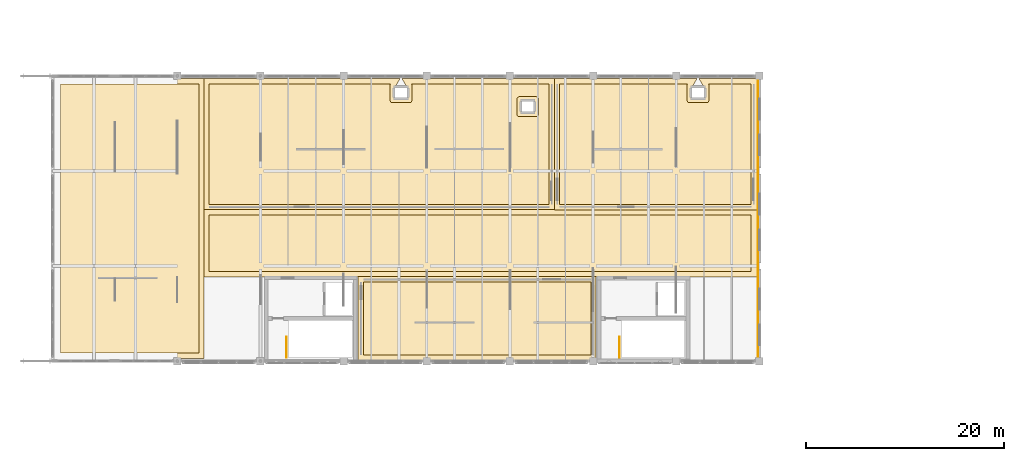
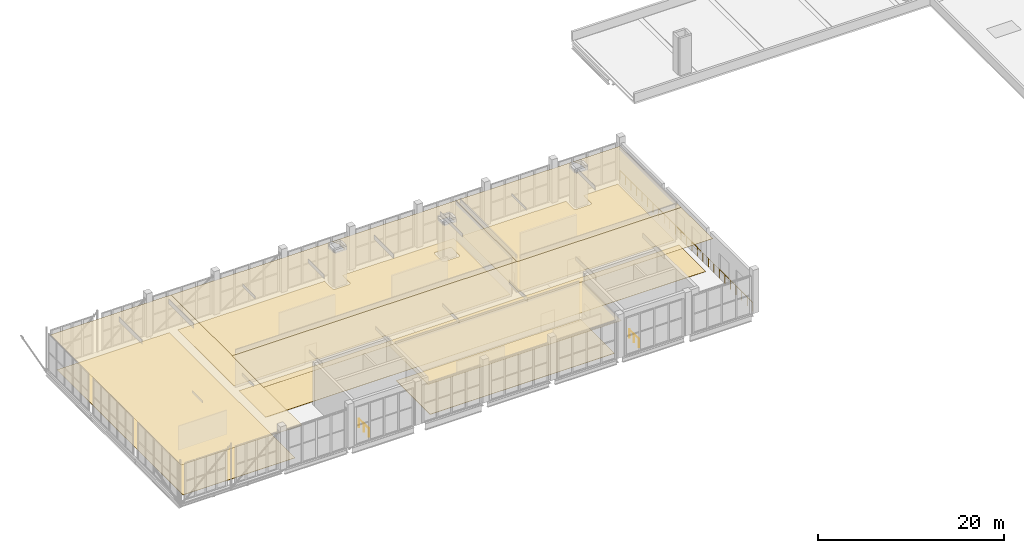
# One storey, part 46 of 49: 10 coverings, 3 railings.
"""IFC4 building model written with IfcOpenShell, lengths in metres."""

import ifcopenshell
import ifcopenshell.guid

model = None  # the IFC model being written
_history = None  # IfcOwnerHistory: only IFC2X3 demands one
_inside = {}  # id of a spatial element -> (the spatial element, [elements in it])
_under = {}  # id of a project, library or spatial element -> (it, [spatial elements below it])
_declared = {}  # id of a project -> (the project, [libraries it declares])
_typed = {}  # id of a type object -> (the type object, [elements of that type])
_made_of = {}  # id of a material, layer set ... -> (it, [elements and type objects made of it])


def new_model(schema):
    """Start an empty IFC model of exactly this schema.

    Asked for "IFC4X3", IfcOpenShell would pick the latest addendum, in which some entities
    have other attributes; the version numbers below select the first issue.
    IFC2X3 requires an IfcOwnerHistory on every rooted entity: one is made here for all.
    """
    global model, _history
    if schema == "IFC4X3":
        model = ifcopenshell.file(schema_version=(4, 3, 0, 0))
    else:
        model = ifcopenshell.file(schema=schema)
    _inside.clear()
    _under.clear()
    _declared.clear()
    _typed.clear()
    _made_of.clear()
    _history = None
    if model.schema == "IFC2X3":
        org = make("IfcOrganization", Name="unknown")
        user = make(
            "IfcPersonAndOrganization",
            ThePerson=make("IfcPerson", FamilyName="unknown"),
            TheOrganization=org,
        )
        app = make(
            "IfcApplication",
            ApplicationDeveloper=org,
            Version="unknown",
            ApplicationFullName="unknown",
            ApplicationIdentifier="unknown",
        )
        _history = make(
            "IfcOwnerHistory",
            OwningUser=user,
            OwningApplication=app,
            ChangeAction="ADDED",
            CreationDate=0,
        )
    return model


def make(cls, **values):
    """One entity of the class cls with the attributes given. An attribute that is None is left unset."""
    return model.create_entity(
        cls, **{name: value for name, value in values.items() if value is not None}
    )


def rooted(cls, **values):
    """An entity with a GlobalId (a new one), such as an element, a storey or a relation."""
    return make(cls, GlobalId=ifcopenshell.guid.new(), OwnerHistory=_history, **values)


def si_unit(unit_type, name, prefix=None):
    """IfcSIUnit, for example si_unit("LENGTHUNIT", "METRE", prefix="MILLI")."""
    return make("IfcSIUnit", UnitType=unit_type, Prefix=prefix, Name=name)


def assignment(units):
    """IfcUnitAssignment: the units of a project."""
    return None if units is None else make("IfcUnitAssignment", Units=units)


def point(xyz):
    """IfcCartesianPoint."""
    return None if xyz is None else make("IfcCartesianPoint", Coordinates=xyz)


def direction(xyz):
    """IfcDirection."""
    return None if xyz is None else make("IfcDirection", DirectionRatios=xyz)


def frame(location, z_axis=None, x_axis=None):
    """IfcAxis2Placement3D, a coordinate frame: its origin and axes. An axis left out is left unset."""
    return make(
        "IfcAxis2Placement3D",
        Location=point(location),
        Axis=direction(z_axis),
        RefDirection=direction(x_axis),
    )


def frame_2d(location, x_axis=None):
    """IfcAxis2Placement2D, a coordinate frame in the plane: its origin and x axis."""
    return make(
        "IfcAxis2Placement2D", Location=point(location), RefDirection=direction(x_axis)
    )


def origin():
    """The frame at (0, 0, 0) with its axes left unset."""
    return frame((0.0, 0.0, 0.0))


def origin_2d():
    """The frame at (0, 0) in the plane with its x axis left unset."""
    return frame_2d((0.0, 0.0))


def place(relative_to, where):
    """IfcLocalPlacement: puts the frame where relative to a parent placement (None: the world)."""
    return make(
        "IfcLocalPlacement", PlacementRelTo=relative_to, RelativePlacement=where
    )


def context(
    kind, dimensions, precision=None, world=None, true_north=None, identifier=None
):
    """IfcGeometricRepresentationContext, for example the 3D "Model" context."""
    return make(
        "IfcGeometricRepresentationContext",
        ContextIdentifier=identifier,
        ContextType=kind,
        CoordinateSpaceDimension=dimensions,
        Precision=precision,
        WorldCoordinateSystem=world,
        TrueNorth=true_north,
    )


def subcontext(parent, identifier, kind, view, scale=None):
    """IfcGeometricRepresentationSubContext, for example "Body" below "Model"."""
    return make(
        "IfcGeometricRepresentationSubContext",
        ContextIdentifier=identifier,
        ContextType=kind,
        ParentContext=parent,
        TargetScale=scale,
        TargetView=view,
    )


def project(units=None, contexts=None):
    """IfcProject with its units and contexts."""
    return rooted(
        "IfcProject",
        Name="project",
        RepresentationContexts=contexts,
        UnitsInContext=assignment(units),
    )


def spatial(cls, under=None, at=None, **own):
    """A site, building, storey or space (cls), placed at a placement, below another one or the project."""
    s = rooted(cls, ObjectPlacement=at, **own)
    if under is not None:
        _under.setdefault(under.id(), (under, []))[1].append(s)
    return s


def polyline(points):
    """IfcPolyline through the points."""
    return make("IfcPolyline", Points=[point(p) for p in points])


def profile(cls, at=None, kind="AREA", **sizes):
    """A parametric profile (cls). Its sizes go by their IFC names, for example OverallWidth=200.0."""
    return make(cls, ProfileType=kind, Position=at, **sizes)


def circle(**sizes):
    """IfcCircleProfileDef."""
    return profile("IfcCircleProfileDef", **sizes)


def outline(outer, holes=None, kind="AREA"):
    """IfcArbitraryClosedProfileDef: a profile drawn as a closed curve; with holes, ...WithVoids."""
    if holes is None:
        return make("IfcArbitraryClosedProfileDef", ProfileType=kind, OuterCurve=outer)
    return make(
        "IfcArbitraryProfileDefWithVoids",
        ProfileType=kind,
        OuterCurve=outer,
        InnerCurves=holes,
    )


def extrude(swept, where, along, depth):
    """IfcExtrudedAreaSolid: the profile swept, set in the frame where, extruded along a direction by depth."""
    return make(
        "IfcExtrudedAreaSolid",
        SweptArea=swept,
        Position=where,
        ExtrudedDirection=direction(along),
        Depth=depth,
    )


def shape(context_of_items, identifier, shape_type, items):
    """IfcShapeRepresentation: the items that make up one representation, for example the "Body"."""
    return make(
        "IfcShapeRepresentation",
        ContextOfItems=context_of_items,
        RepresentationIdentifier=identifier,
        RepresentationType=shape_type,
        Items=items,
    )


def material(Name=None, Category=None):
    """IfcMaterial."""
    return make("IfcMaterial", Name=Name, Category=Category)


def layer(
    of_material, thickness, ventilated=None, Name=None, Category=None, Priority=None
):
    """IfcMaterialLayer: one layer of a wall or slab, of a material (None: an air gap)."""
    return make(
        "IfcMaterialLayer",
        Material=of_material,
        LayerThickness=thickness,
        IsVentilated=ventilated,
        Name=Name,
        Category=Category,
        Priority=Priority,
    )


def layer_set(layers, Name=None):
    """IfcMaterialLayerSet."""
    return make("IfcMaterialLayerSet", MaterialLayers=layers, LayerSetName=Name)


def made_of(thing, what):
    """Note that an element or type object is made of a material, layer set ...; save() writes the relation."""
    if what is not None:
        _made_of.setdefault(what.id(), (what, []))[1].append(thing)
    return thing


def type_object(cls, material=None, **own):
    """A type object (cls), such as IfcWallType, which elements share."""
    return made_of(rooted(cls, **own), material)


def element(
    cls,
    number,
    at=None,
    inside=None,
    cuts=None,
    type_object=None,
    material=None,
    context=None,
    identifier="Body",
    shape_type=None,
    held_by="IfcProductDefinitionShape",
    body=None,
    shapes=None,
    **own,
):
    """One element of the class cls, such as IfcWall. Its Tag is "e" and its number.

    at: its placement. inside: the storey or other place that contains it. cuts: it is an
    opening in that element (IfcRelVoidsElement). A single representation is given by context,
    identifier, shape_type and body (its items); several are given by shapes. held_by: the class
    of the entity that holds the representations. save() writes the other relations.
    """
    e = rooted(cls, Tag="e%d" % number, ObjectPlacement=at, **own)
    if body is not None:
        shapes = [shape(context, identifier, shape_type, body)]
    if shapes is not None:
        e.Representation = make(held_by, Representations=shapes)
    if inside is not None:
        _inside.setdefault(inside.id(), (inside, []))[1].append(e)
    if cuts is not None:
        rooted(
            "IfcRelVoidsElement", RelatingBuildingElement=cuts, RelatedOpeningElement=e
        )
    if type_object is not None:
        _typed.setdefault(type_object.id(), (type_object, []))[1].append(e)
    return made_of(e, material)


def aggregate(whole, parts):
    """IfcRelAggregates: a whole, such as a stair, and the parts it consists of."""
    return rooted("IfcRelAggregates", RelatingObject=whole, RelatedObjects=parts)


def save(model, path):
    """Write the relations noted so far, then the file.

    IfcRelAggregates (storeys below a building ...), IfcRelContainedInSpatialStructure (elements
    in a storey), IfcRelDefinesByType, IfcRelAssociatesMaterial and IfcRelDeclares: one each for
    every whole, place, type object, material and project.
    """
    for whole, parts in _under.values():
        aggregate(whole, parts)
    for where, things in _inside.values():
        rooted(
            "IfcRelContainedInSpatialStructure",
            RelatedElements=things,
            RelatingStructure=where,
        )
    for kind, things in _typed.values():
        rooted("IfcRelDefinesByType", RelatedObjects=things, RelatingType=kind)
    for what, things in _made_of.values():
        rooted("IfcRelAssociatesMaterial", RelatedObjects=things, RelatingMaterial=what)
    for by, libraries in _declared.values():
        rooted("IfcRelDeclares", RelatingContext=by, RelatedDefinitions=libraries)
    model.write(path)


model = new_model("IFC4")

# Units and contexts
model_context = context("Model", 3, precision=1e-05, world=origin(), true_north=direction((0.0, 1.0)))
body_context = subcontext(model_context, "Body", "Model", "MODEL_VIEW")
ifc_project = project(units=[si_unit("LENGTHUNIT", "METRE"), si_unit("AREAUNIT", "SQUARE_METRE"), si_unit("VOLUMEUNIT", "CUBIC_METRE"), si_unit("PLANEANGLEUNIT", "RADIAN"), si_unit("MASSUNIT", "GRAM", prefix="KILO")], contexts=[model_context])

# Site, building, storey
site_placement = place(None, origin())
site = spatial("IfcSite", under=ifc_project, at=site_placement, CompositionType="ELEMENT")
building_placement = place(site_placement, origin())
building = spatial("IfcBuilding", under=site, at=building_placement, Name="Zulmaris Art Gallery", CompositionType="ELEMENT")
storey_placement = place(building_placement, frame((0.0, 0.0, 20.699951171875)))
storey = spatial("IfcBuildingStorey", under=building, at=storey_placement, Name="L04", CompositionType="ELEMENT", Elevation=20.699951171875)

# Coverings
ifc_material_1 = material(Name="Micro-Perforated Gypsum Acoustic Ceiling", Category="gypsum")
ifc_layer_1 = layer(ifc_material_1, 0.02490234375)
ifc_layer_set_1 = layer_set([ifc_layer_1], Name="Micro-Perforated Gypsum Acoustic Ceiling")
covering_type_1 = type_object("IfcCoveringType", Name="COV-CL01", PredefinedType="CEILING", material=ifc_layer_set_1)
covering_1_placement = place(storey_placement, frame((0.0, 0.0, 4.449951171875)))
element("IfcCovering", 1, at=covering_1_placement, inside=storey, type_object=covering_type_1, Name="Top-Lit Gallery Central Concourse acoustic ceiling", PredefinedType="CEILING", context=body_context, shape_type="SweptSolid", body=[
    extrude(outline(polyline([(26.679931640625, 36.919921875), (82.52001953125, 36.919921875), (82.52001953125, 30.080078125), (26.679931640625, 30.080078125), (26.679931640625, 36.919921875)])), origin(), (0.0, 0.0, 1.0), 0.030029296875),
])
covering_2_placement = place(storey_placement, frame((0.0, 0.0, 4.449951171875)))
element("IfcCovering", 2, at=covering_2_placement, inside=storey, type_object=covering_type_1, Name="South Clerestory Sculpture Salon acoustic ceiling", PredefinedType="CEILING", context=body_context, shape_type="SweptSolid", body=[
    extrude(outline(polyline([(42.280029296875, 30.1201171875), (66.320068359375, 30.1201171875), (66.320068359375, 21.679931640625), (42.280029296875, 21.679931640625), (42.280029296875, 30.1201171875)])), origin(), (0.0, 0.0, 1.0), 0.030029296875),
])
ifc_material_2 = material(Name="Luminous UV-Diffusing Stretched Gallery Ceiling", Category="gypsum")
ifc_layer_2 = layer(ifc_material_2, 0.034912109375)
ifc_layer_set_2 = layer_set([ifc_layer_2], Name="Luminous UV-Diffusing Stretched Gallery Ceiling")
covering_type_2 = type_object("IfcCoveringType", Name="COV-CL02", PredefinedType="CEILING", material=ifc_layer_set_2)
covering_3_placement = place(storey_placement, frame((0.0, 0.0, 4.449951171875)))
element("IfcCovering", 3, at=covering_3_placement, inside=storey, type_object=covering_type_2, Name="West Cantilever Top-Lit Gallery acoustic ceiling", PredefinedType="CEILING", context=body_context, shape_type="SweptSolid", body=[
    extrude(outline(polyline([(11.679931640625, 50.1201171875), (26.719970703125, 50.1201171875), (26.719970703125, 21.8798828125), (11.679931640625, 21.8798828125), (11.679931640625, 50.1201171875)])), origin(), (0.0, 0.0, 1.0), 0.030029296875),
])
covering_4_placement = place(storey_placement, frame((0.0, 0.0, 4.449951171875)))
element("IfcCovering", 4, at=covering_4_placement, inside=storey, type_object=covering_type_2, Name="Top-Lit Grand Exhibition Gallery Hall acoustic ceiling", PredefinedType="CEILING", context=body_context, shape_type="SweptSolid", body=[
    extrude(outline(polyline([(47.14990234375, 49.366455078125), (46.6982421875, 50.1201171875), (62.1201171875, 50.1201171875), (62.1201171875, 36.8798828125), (26.679931640625, 36.8798828125), (26.679931640625, 50.1201171875), (46.501708984375, 50.1201171875), (46.050048828125, 49.366455078125), (46.050048828125, 49.219970703125), (46.0, 49.219970703125), (45.998046875, 49.219970703125), (45.99609375, 49.219482421875), (45.994140625, 49.218994140625), (45.9921875, 49.218505859375), (45.990478515625, 49.217529296875), (45.989013671875, 49.216552734375), (45.9873046875, 49.215576171875), (45.98583984375, 49.214111328125), (45.984619140625, 49.212646484375), (45.9833984375, 49.211181640625), (45.982421875, 49.20947265625), (45.9814453125, 49.207763671875), (45.98095703125, 49.205810546875), (45.98046875, 49.203857421875), (45.97998046875, 49.201904296875), (45.97998046875, 49.199951171875), (45.97998046875, 48.199951171875), (45.97998046875, 48.197998046875), (45.98046875, 48.196044921875), (45.98095703125, 48.194091796875), (45.9814453125, 48.1923828125), (45.982421875, 48.190673828125), (45.9833984375, 48.18896484375), (45.984619140625, 48.187255859375), (45.98583984375, 48.185791015625), (45.9873046875, 48.1845703125), (45.989013671875, 48.183349609375), (45.990478515625, 48.182373046875), (45.9921875, 48.181396484375), (45.994140625, 48.180908203125), (45.99609375, 48.180419921875), (45.998046875, 48.18017578125), (46.0, 48.179931640625), (47.199951171875, 48.179931640625), (47.201904296875, 48.18017578125), (47.203857421875, 48.180419921875), (47.205810546875, 48.180908203125), (47.207763671875, 48.181396484375), (47.20947265625, 48.182373046875), (47.211181640625, 48.183349609375), (47.212646484375, 48.1845703125), (47.214111328125, 48.185791015625), (47.215576171875, 48.187255859375), (47.216552734375, 48.18896484375), (47.217529296875, 48.190673828125), (47.218505859375, 48.1923828125), (47.218994140625, 48.194091796875), (47.219482421875, 48.196044921875), (47.219970703125, 48.197998046875), (47.219970703125, 48.199951171875), (47.219970703125, 49.199951171875), (47.219970703125, 49.201904296875), (47.219482421875, 49.203857421875), (47.218994140625, 49.205810546875), (47.218505859375, 49.207763671875), (47.217529296875, 49.20947265625), (47.216552734375, 49.211181640625), (47.215576171875, 49.212646484375), (47.214111328125, 49.214111328125), (47.212646484375, 49.215576171875), (47.211181640625, 49.216552734375), (47.20947265625, 49.217529296875), (47.207763671875, 49.218505859375), (47.205810546875, 49.218994140625), (47.203857421875, 49.219482421875), (47.201904296875, 49.219970703125), (47.199951171875, 49.219970703125), (47.14990234375, 49.219970703125), (47.14990234375, 49.366455078125)]), holes=[polyline([(58.780029296875, 46.798095703125), (58.780517578125, 46.796142578125), (58.781005859375, 46.794189453125), (58.781494140625, 46.792236328125), (58.782470703125, 46.79052734375), (58.783447265625, 46.788818359375), (58.784423828125, 46.787353515625), (58.785888671875, 46.785888671875), (58.787353515625, 46.784423828125), (58.788818359375, 46.783447265625), (58.79052734375, 46.782470703125), (58.792236328125, 46.781494140625), (58.794189453125, 46.781005859375), (58.796142578125, 46.780517578125), (58.798095703125, 46.780029296875), (58.800048828125, 46.780029296875), (60.0, 46.780029296875), (60.001953125, 46.780029296875), (60.00390625, 46.780517578125), (60.005859375, 46.781005859375), (60.0078125, 46.781494140625), (60.009521484375, 46.782470703125), (60.010986328125, 46.783447265625), (60.0126953125, 46.784423828125), (60.01416015625, 46.785888671875), (60.015380859375, 46.787353515625), (60.0166015625, 46.788818359375), (60.017578125, 46.79052734375), (60.0185546875, 46.792236328125), (60.01904296875, 46.794189453125), (60.01953125, 46.796142578125), (60.02001953125, 46.798095703125), (60.02001953125, 46.800048828125), (60.02001953125, 47.800048828125), (60.02001953125, 47.802001953125), (60.01953125, 47.803955078125), (60.01904296875, 47.805908203125), (60.0185546875, 47.8076171875), (60.017578125, 47.809326171875), (60.0166015625, 47.81103515625), (60.015380859375, 47.812744140625), (60.01416015625, 47.814208984375), (60.0126953125, 47.8154296875), (60.010986328125, 47.816650390625), (60.009521484375, 47.817626953125), (60.0078125, 47.818603515625), (60.005859375, 47.819091796875), (60.00390625, 47.819580078125), (60.001953125, 47.81982421875), (60.0, 47.820068359375), (58.800048828125, 47.820068359375), (58.798095703125, 47.81982421875), (58.796142578125, 47.819580078125), (58.794189453125, 47.819091796875), (58.792236328125, 47.818603515625), (58.79052734375, 47.817626953125), (58.788818359375, 47.816650390625), (58.787353515625, 47.8154296875), (58.785888671875, 47.814208984375), (58.784423828125, 47.812744140625), (58.783447265625, 47.81103515625), (58.782470703125, 47.809326171875), (58.781494140625, 47.8076171875), (58.781005859375, 47.805908203125), (58.780517578125, 47.803955078125), (58.780029296875, 47.802001953125), (58.780029296875, 47.800048828125), (58.780029296875, 46.800048828125), (58.780029296875, 46.798095703125)])]), origin(), (0.0, 0.0, 1.0), 0.030029296875),
])
covering_5_placement = place(storey_placement, frame((0.0, 0.0, 4.449951171875)))
element("IfcCovering", 5, at=covering_5_placement, inside=storey, type_object=covering_type_2, Name="East Skylight Contemporary Gallery acoustic ceiling", PredefinedType="CEILING", context=body_context, shape_type="SweptSolid", body=[
    extrude(outline(polyline([(77.14990234375, 49.366455078125), (76.6982421875, 50.1201171875), (82.52001953125, 50.1201171875), (82.52001953125, 36.8798828125), (62.080078125, 36.8798828125), (62.080078125, 50.1201171875), (76.501708984375, 50.1201171875), (76.050048828125, 49.366455078125), (76.050048828125, 49.219970703125), (76.0, 49.219970703125), (75.998046875, 49.219970703125), (75.99609375, 49.219482421875), (75.994140625, 49.218994140625), (75.9921875, 49.218505859375), (75.990478515625, 49.217529296875), (75.989013671875, 49.216552734375), (75.9873046875, 49.215576171875), (75.98583984375, 49.214111328125), (75.984619140625, 49.212646484375), (75.9833984375, 49.211181640625), (75.982421875, 49.20947265625), (75.9814453125, 49.207763671875), (75.98095703125, 49.205810546875), (75.98046875, 49.203857421875), (75.97998046875, 49.201904296875), (75.97998046875, 49.199951171875), (75.97998046875, 48.199951171875), (75.97998046875, 48.197998046875), (75.98046875, 48.196044921875), (75.98095703125, 48.194091796875), (75.9814453125, 48.1923828125), (75.982421875, 48.190673828125), (75.9833984375, 48.18896484375), (75.984619140625, 48.187255859375), (75.98583984375, 48.185791015625), (75.9873046875, 48.1845703125), (75.989013671875, 48.183349609375), (75.990478515625, 48.182373046875), (75.9921875, 48.181396484375), (75.994140625, 48.180908203125), (75.99609375, 48.180419921875), (75.998046875, 48.18017578125), (76.0, 48.179931640625), (77.199951171875, 48.179931640625), (77.201904296875, 48.18017578125), (77.203857421875, 48.180419921875), (77.205810546875, 48.180908203125), (77.207763671875, 48.181396484375), (77.20947265625, 48.182373046875), (77.211181640625, 48.183349609375), (77.212646484375, 48.1845703125), (77.214111328125, 48.185791015625), (77.215576171875, 48.187255859375), (77.216552734375, 48.18896484375), (77.217529296875, 48.190673828125), (77.218505859375, 48.1923828125), (77.218994140625, 48.194091796875), (77.219482421875, 48.196044921875), (77.219970703125, 48.197998046875), (77.219970703125, 48.199951171875), (77.219970703125, 49.199951171875), (77.219970703125, 49.201904296875), (77.219482421875, 49.203857421875), (77.218994140625, 49.205810546875), (77.218505859375, 49.207763671875), (77.217529296875, 49.20947265625), (77.216552734375, 49.211181640625), (77.215576171875, 49.212646484375), (77.214111328125, 49.214111328125), (77.212646484375, 49.215576171875), (77.211181640625, 49.216552734375), (77.20947265625, 49.217529296875), (77.207763671875, 49.218505859375), (77.205810546875, 49.218994140625), (77.203857421875, 49.219482421875), (77.201904296875, 49.219970703125), (77.199951171875, 49.219970703125), (77.14990234375, 49.219970703125), (77.14990234375, 49.366455078125)])), origin(), (0.0, 0.0, 1.0), 0.030029296875),
])
ifc_material_3 = material(Name="Honed Omani Limestone Terrazzo Flooring", Category="masonry")
ifc_layer_3 = layer(ifc_material_3, 0.0400390625)
ifc_layer_set_3 = layer_set([ifc_layer_3], Name="Honed Omani Limestone Terrazzo Flooring")
covering_type_3 = type_object("IfcCoveringType", Name="COV-FL01", PredefinedType="FLOORING", material=ifc_layer_set_3)
covering_6_placement = place(storey_placement, origin())
element("IfcCovering", 6, at=covering_6_placement, inside=storey, type_object=covering_type_3, Name="Top-Lit Gallery Central Concourse finish flooring", PredefinedType="FLOORING", context=body_context, shape_type="SweptSolid", body=[
    extrude(outline(polyline([(81.969970703125, 30.6298828125), (27.22998046875, 30.6298828125), (27.22998046875, 36.3701171875), (81.969970703125, 36.3701171875), (81.969970703125, 30.6298828125)])), origin(), (0.0, 0.0, 1.0), 0.03515625),
])
covering_7_placement = place(storey_placement, origin())
element("IfcCovering", 7, at=covering_7_placement, inside=storey, type_object=covering_type_3, Name="South Clerestory Sculpture Salon finish flooring", PredefinedType="FLOORING", context=body_context, shape_type="SweptSolid", body=[
    extrude(outline(polyline([(65.77001953125, 22.22998046875), (42.830078125, 22.22998046875), (42.830078125, 29.570068359375), (65.77001953125, 29.570068359375), (65.77001953125, 22.22998046875)])), origin(), (0.0, 0.0, 1.0), 0.03515625),
])
ifc_material_4 = material(Name="Oiled European Oak Gallery Parquet Flooring", Category="timber")
ifc_layer_4 = layer(ifc_material_4, 0.030029296875)
ifc_layer_set_4 = layer_set([ifc_layer_4], Name="Oiled European Oak Gallery Parquet Flooring")
covering_type_4 = type_object("IfcCoveringType", Name="COV-FL02", PredefinedType="FLOORING", material=ifc_layer_set_4)
covering_8_placement = place(storey_placement, origin())
element("IfcCovering", 8, at=covering_8_placement, inside=storey, type_object=covering_type_4, Name="West Cantilever Top-Lit Gallery finish flooring", PredefinedType="FLOORING", context=body_context, shape_type="SweptSolid", body=[
    extrude(outline(polyline([(26.169921875, 22.429931640625), (12.22998046875, 22.429931640625), (12.22998046875, 49.570068359375), (26.169921875, 49.570068359375), (26.169921875, 22.429931640625)])), origin(), (0.0, 0.0, 1.0), 0.03515625),
])
covering_9_placement = place(storey_placement, origin())
element("IfcCovering", 9, at=covering_9_placement, inside=storey, type_object=covering_type_4, Name="Top-Lit Grand Exhibition Gallery Hall finish flooring", PredefinedType="FLOORING", context=body_context, shape_type="SweptSolid", body=[
    extrude(outline(polyline([(45.529541015625, 49.56787109375), (45.51904296875, 49.545654296875), (45.5107421875, 49.522705078125), (45.5048828125, 49.498779296875), (45.501220703125, 49.474609375), (45.5, 49.449951171875), (45.5, 47.949951171875), (45.501220703125, 47.925537109375), (45.5048828125, 47.901123046875), (45.5107421875, 47.87744140625), (45.51904296875, 47.854248046875), (45.529541015625, 47.832275390625), (45.5419921875, 47.81103515625), (45.556640625, 47.79150390625), (45.5732421875, 47.773193359375), (45.59130859375, 47.756591796875), (45.611083984375, 47.7421875), (45.632080078125, 47.7294921875), (45.654296875, 47.718994140625), (45.677490234375, 47.710693359375), (45.701171875, 47.704833984375), (45.7255859375, 47.701171875), (45.75, 47.699951171875), (47.449951171875, 47.699951171875), (47.474609375, 47.701171875), (47.498779296875, 47.704833984375), (47.522705078125, 47.710693359375), (47.545654296875, 47.718994140625), (47.56787109375, 47.7294921875), (47.5888671875, 47.7421875), (47.608642578125, 47.756591796875), (47.626708984375, 47.773193359375), (47.643310546875, 47.79150390625), (47.657958984375, 47.81103515625), (47.67041015625, 47.832275390625), (47.680908203125, 47.854248046875), (47.689208984375, 47.87744140625), (47.6953125, 47.901123046875), (47.69873046875, 47.925537109375), (47.699951171875, 47.949951171875), (47.699951171875, 49.449951171875), (47.69873046875, 49.474609375), (47.6953125, 49.498779296875), (47.689208984375, 49.522705078125), (47.680908203125, 49.545654296875), (47.67041015625, 49.56787109375), (47.669189453125, 49.570068359375), (61.570068359375, 49.570068359375), (61.570068359375, 37.429931640625), (27.22998046875, 37.429931640625), (27.22998046875, 49.570068359375), (45.53076171875, 49.570068359375), (45.529541015625, 49.56787109375)]), holes=[polyline([(58.525390625, 48.298828125), (58.501220703125, 48.295166015625), (58.477294921875, 48.289306640625), (58.454345703125, 48.281005859375), (58.43212890625, 48.2705078125), (58.4111328125, 48.2578125), (58.391357421875, 48.243408203125), (58.373291015625, 48.226806640625), (58.356689453125, 48.20849609375), (58.342041015625, 48.18896484375), (58.32958984375, 48.167724609375), (58.319091796875, 48.145751953125), (58.310791015625, 48.12255859375), (58.3046875, 48.098876953125), (58.30126953125, 48.074462890625), (58.300048828125, 48.050048828125), (58.300048828125, 46.550048828125), (58.30126953125, 46.525390625), (58.3046875, 46.501220703125), (58.310791015625, 46.477294921875), (58.319091796875, 46.454345703125), (58.32958984375, 46.43212890625), (58.342041015625, 46.4111328125), (58.356689453125, 46.391357421875), (58.373291015625, 46.373291015625), (58.391357421875, 46.356689453125), (58.4111328125, 46.342041015625), (58.43212890625, 46.32958984375), (58.454345703125, 46.319091796875), (58.477294921875, 46.310791015625), (58.501220703125, 46.3046875), (58.525390625, 46.30126953125), (58.550048828125, 46.300048828125), (60.25, 46.300048828125), (60.2744140625, 46.30126953125), (60.298828125, 46.3046875), (60.322509765625, 46.310791015625), (60.345703125, 46.319091796875), (60.367919921875, 46.32958984375), (60.388916015625, 46.342041015625), (60.40869140625, 46.356689453125), (60.4267578125, 46.373291015625), (60.443359375, 46.391357421875), (60.4580078125, 46.4111328125), (60.470458984375, 46.43212890625), (60.48095703125, 46.454345703125), (60.4892578125, 46.477294921875), (60.4951171875, 46.501220703125), (60.498779296875, 46.525390625), (60.5, 46.550048828125), (60.5, 48.050048828125), (60.498779296875, 48.074462890625), (60.4951171875, 48.098876953125), (60.4892578125, 48.12255859375), (60.48095703125, 48.145751953125), (60.470458984375, 48.167724609375), (60.4580078125, 48.18896484375), (60.443359375, 48.20849609375), (60.4267578125, 48.226806640625), (60.40869140625, 48.243408203125), (60.388916015625, 48.2578125), (60.367919921875, 48.2705078125), (60.345703125, 48.281005859375), (60.322509765625, 48.289306640625), (60.298828125, 48.295166015625), (60.2744140625, 48.298828125), (60.25, 48.300048828125), (58.550048828125, 48.300048828125), (58.525390625, 48.298828125)])]), origin(), (0.0, 0.0, 1.0), 0.03515625),
])
covering_10_placement = place(storey_placement, origin())
element("IfcCovering", 10, at=covering_10_placement, inside=storey, type_object=covering_type_4, Name="East Skylight Contemporary Gallery finish flooring", PredefinedType="FLOORING", context=body_context, shape_type="SweptSolid", body=[
    extrude(outline(polyline([(75.529541015625, 49.56787109375), (75.51904296875, 49.545654296875), (75.5107421875, 49.522705078125), (75.5048828125, 49.498779296875), (75.501220703125, 49.474609375), (75.5, 49.449951171875), (75.5, 47.949951171875), (75.501220703125, 47.925537109375), (75.5048828125, 47.901123046875), (75.5107421875, 47.87744140625), (75.51904296875, 47.854248046875), (75.529541015625, 47.832275390625), (75.5419921875, 47.81103515625), (75.556640625, 47.79150390625), (75.5732421875, 47.773193359375), (75.59130859375, 47.756591796875), (75.611083984375, 47.7421875), (75.632080078125, 47.7294921875), (75.654296875, 47.718994140625), (75.677490234375, 47.710693359375), (75.701171875, 47.704833984375), (75.7255859375, 47.701171875), (75.75, 47.699951171875), (77.449951171875, 47.699951171875), (77.474609375, 47.701171875), (77.498779296875, 47.704833984375), (77.522705078125, 47.710693359375), (77.545654296875, 47.718994140625), (77.56787109375, 47.7294921875), (77.5888671875, 47.7421875), (77.608642578125, 47.756591796875), (77.626708984375, 47.773193359375), (77.643310546875, 47.79150390625), (77.657958984375, 47.81103515625), (77.67041015625, 47.832275390625), (77.680908203125, 47.854248046875), (77.689208984375, 47.87744140625), (77.6953125, 47.901123046875), (77.69873046875, 47.925537109375), (77.699951171875, 47.949951171875), (77.699951171875, 49.449951171875), (77.69873046875, 49.474609375), (77.6953125, 49.498779296875), (77.689208984375, 49.522705078125), (77.680908203125, 49.545654296875), (77.67041015625, 49.56787109375), (77.669189453125, 49.570068359375), (81.969970703125, 49.570068359375), (81.969970703125, 37.429931640625), (62.6298828125, 37.429931640625), (62.6298828125, 49.570068359375), (75.53076171875, 49.570068359375), (75.529541015625, 49.56787109375)])), origin(), (0.0, 0.0, 1.0), 0.03515625),
])

# Railings
ifc_material_5 = material(Name="Bronze & Laminated Glass Balustrade", Category="glass")
ifc_layer_5 = layer(ifc_material_5, 0.070068359375)
ifc_layer_set_5 = layer_set([ifc_layer_5], Name="Bronze & Laminated Glass Balustrade")
railing_type_1 = type_object("IfcRailingType", Name="RAIL-BAL01", PredefinedType="BALUSTRADE", material=ifc_layer_set_5)
railing_placement = place(storey_placement, frame((82.64990234375, 21.699951171875, 0.0)))
element("IfcRailing", 11, at=railing_placement, inside=storey, type_object=railing_type_1, Name="L04 V1 East Gallery Guard", PredefinedType="BALUSTRADE", context=body_context, shape_type="SweptSolid", body=[
    extrude(circle(Radius=0.02392578125, at=origin_2d()), frame((0.0, 0.0, 1.1357421875), z_axis=(0.0, 1.0, 0.0), x_axis=(-1.0, 0.0, 0.0)), (0.0, 0.0, 1.0), 28.60009765625),
    extrude(circle(Radius=0.02099609375, at=origin_2d()), origin(), (0.0, 0.0, 1.0), 1.11181640625),
    extrude(circle(Radius=0.02099609375, at=origin_2d()), frame((0.0, 1.191650390625, 0.0)), (0.0, 0.0, 1.0), 1.11181640625),
    extrude(circle(Radius=0.02099609375, at=origin_2d()), frame((0.0, 2.38330078125, 0.0)), (0.0, 0.0, 1.0), 1.11181640625),
    extrude(circle(Radius=0.02099609375, at=origin_2d()), frame((0.0, 3.574951171875, 0.0)), (0.0, 0.0, 1.0), 1.11181640625),
    extrude(circle(Radius=0.02099609375, at=origin_2d()), frame((0.0, 4.7666015625, 0.0)), (0.0, 0.0, 1.0), 1.11181640625),
    extrude(circle(Radius=0.02099609375, at=origin_2d()), frame((0.0, 5.958251953125, 0.0)), (0.0, 0.0, 1.0), 1.11181640625),
    extrude(circle(Radius=0.02099609375, at=origin_2d()), frame((0.0, 7.14990234375, 0.0)), (0.0, 0.0, 1.0), 1.11181640625),
    extrude(circle(Radius=0.02099609375, at=origin_2d()), frame((0.0, 8.341796875, 0.0)), (0.0, 0.0, 1.0), 1.11181640625),
    extrude(circle(Radius=0.02099609375, at=origin_2d()), frame((0.0, 9.533447265625, 0.0)), (0.0, 0.0, 1.0), 1.11181640625),
    extrude(circle(Radius=0.02099609375, at=origin_2d()), frame((0.0, 10.72509765625, 0.0)), (0.0, 0.0, 1.0), 1.11181640625),
    extrude(circle(Radius=0.02099609375, at=origin_2d()), frame((0.0, 11.916748046875, 0.0)), (0.0, 0.0, 1.0), 1.11181640625),
    extrude(circle(Radius=0.02099609375, at=origin_2d()), frame((0.0, 13.1083984375, 0.0)), (0.0, 0.0, 1.0), 1.11181640625),
    extrude(circle(Radius=0.02099609375, at=origin_2d()), frame((0.0, 14.300048828125, 0.0)), (0.0, 0.0, 1.0), 1.11181640625),
    extrude(circle(Radius=0.02099609375, at=origin_2d()), frame((0.0, 15.49169921875, 0.0)), (0.0, 0.0, 1.0), 1.11181640625),
    extrude(circle(Radius=0.02099609375, at=origin_2d()), frame((0.0, 16.683349609375, 0.0)), (0.0, 0.0, 1.0), 1.11181640625),
    extrude(circle(Radius=0.02099609375, at=origin_2d()), frame((0.0, 17.875, 0.0)), (0.0, 0.0, 1.0), 1.11181640625),
    extrude(circle(Radius=0.02099609375, at=origin_2d()), frame((0.0, 19.066650390625, 0.0)), (0.0, 0.0, 1.0), 1.11181640625),
    extrude(circle(Radius=0.02099609375, at=origin_2d()), frame((0.0, 20.25830078125, 0.0)), (0.0, 0.0, 1.0), 1.11181640625),
    extrude(circle(Radius=0.02099609375, at=origin_2d()), frame((0.0, 21.4501953125, 0.0)), (0.0, 0.0, 1.0), 1.11181640625),
    extrude(circle(Radius=0.02099609375, at=origin_2d()), frame((0.0, 22.641845703125, 0.0)), (0.0, 0.0, 1.0), 1.11181640625),
    extrude(circle(Radius=0.02099609375, at=origin_2d()), frame((0.0, 23.83349609375, 0.0)), (0.0, 0.0, 1.0), 1.11181640625),
    extrude(circle(Radius=0.02099609375, at=origin_2d()), frame((0.0, 25.025146484375, 0.0)), (0.0, 0.0, 1.0), 1.11181640625),
    extrude(circle(Radius=0.02099609375, at=origin_2d()), frame((0.0, 26.216796875, 0.0)), (0.0, 0.0, 1.0), 1.11181640625),
    extrude(circle(Radius=0.02099609375, at=origin_2d()), frame((0.0, 27.408447265625, 0.0)), (0.0, 0.0, 1.0), 1.11181640625),
    extrude(circle(Radius=0.02099609375, at=origin_2d()), frame((0.0, 28.60009765625, 0.0)), (0.0, 0.0, 1.0), 1.11181640625),
])
ifc_material_6 = material(Name="Steel S355J2", Category="steel")
ifc_layer_6 = layer(ifc_material_6, 0.050048828125)
ifc_layer_set_6 = layer_set([ifc_layer_6], Name="Steel S355J2")
railing_type_2 = type_object("IfcRailingType", Name="RAIL-STGRD", PredefinedType="GUARDRAIL", material=ifc_layer_set_6)
for number, where, name in (
    (12, (35.050048828125, 21.949951171875, 0.0), "L04 ST1 top well guard 1"),
    (13, (68.64990234375, 21.949951171875, 0.0), "L04 ST2 top well guard 1"),
):
    element("IfcRailing", number, at=place(storey_placement, frame(where)), inside=storey, type_object=railing_type_2, Name=name, PredefinedType="GUARDRAIL", context=body_context, shape_type="SweptSolid", body=[
        extrude(circle(Radius=0.02392578125, at=origin_2d()), frame((0.0, 0.0, 1.076171875), z_axis=(0.0, 1.0, 0.0), x_axis=(-1.0, 0.0, 0.0)), (0.0, 0.0, 1.0), 2.090087890625),
        extrude(circle(Radius=0.02099609375, at=origin_2d()), origin(), (0.0, 0.0, 1.0), 1.052001953125),
        extrude(circle(Radius=0.02099609375, at=origin_2d()), frame((0.0, 1.044921875, 0.0)), (0.0, 0.0, 1.0), 1.052001953125),
        extrude(circle(Radius=0.02099609375, at=origin_2d()), frame((0.0, 2.090087890625, 0.0)), (0.0, 0.0, 1.0), 1.052001953125),
    ])

save(model, "model.ifc")
